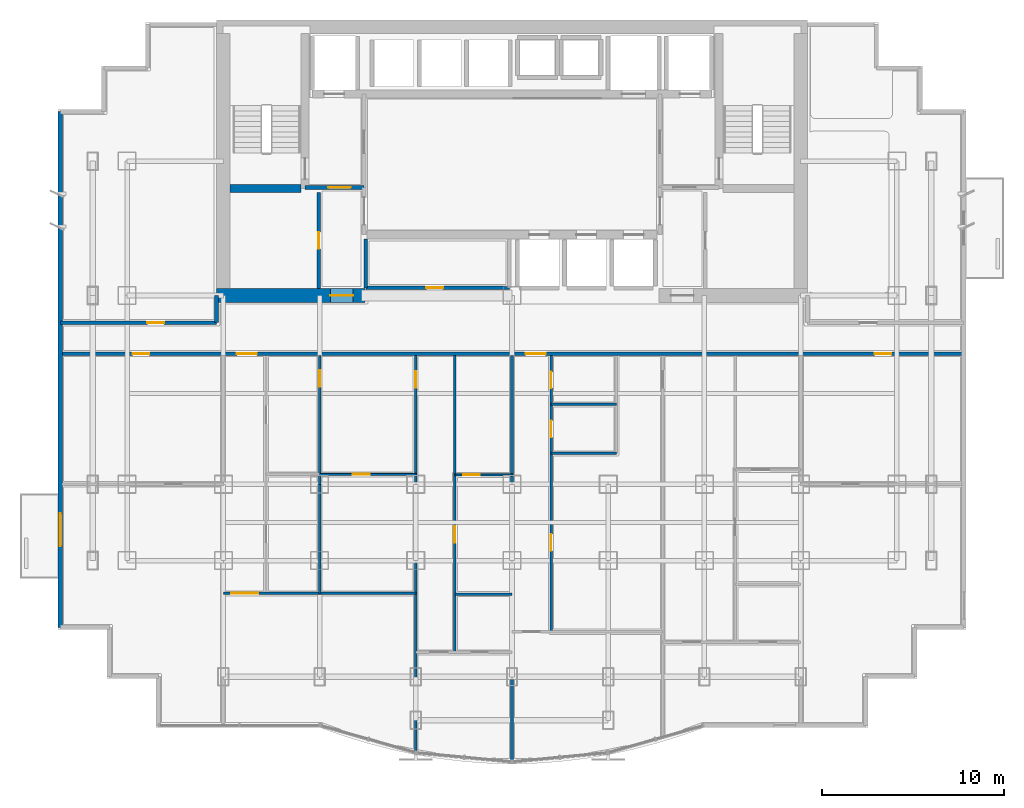
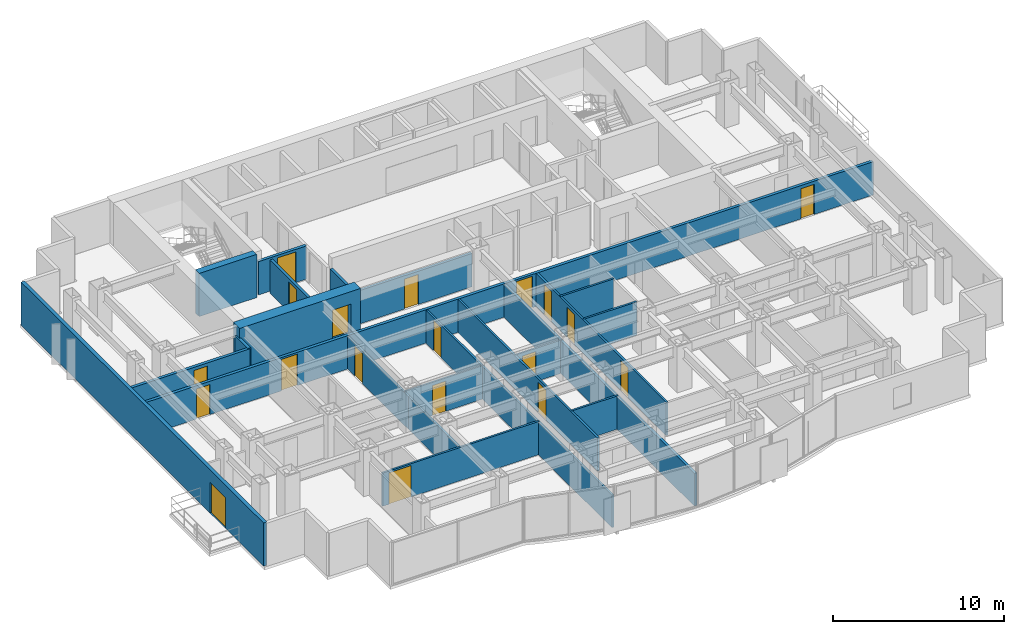
# One storey, part 5 of 10: 22 walls, 19 doors, 19 openings.
"""IFC4 building model written with IfcOpenShell, lengths in metres."""

from ifc_helpers import new_model, si_unit, direction, frame, frame_2d, origin, place, context, subcontext, project, spatial, rectangle, extrude, material, layer, layer_set, type_object, element, fill, save


model = new_model("IFC4")

# Units and contexts
model_context = context("Model", 3, precision=1e-05, world=origin(), true_north=direction((0.0, 1.0)))
body_context = subcontext(model_context, "Body", "Model", "MODEL_VIEW")
ifc_project = project(units=[si_unit("LENGTHUNIT", "METRE"), si_unit("AREAUNIT", "SQUARE_METRE"), si_unit("VOLUMEUNIT", "CUBIC_METRE"), si_unit("PLANEANGLEUNIT", "RADIAN"), si_unit("MASSUNIT", "GRAM", prefix="KILO")], contexts=[model_context])

# Site, building, storey
site_placement = place(None, origin())
site = spatial("IfcSite", under=ifc_project, at=site_placement, CompositionType="ELEMENT")
building_placement = place(site_placement, origin())
building = spatial("IfcBuilding", under=site, at=building_placement, Name="Qianlan Lanfeng Residences", CompositionType="ELEMENT")
storey_placement = place(building_placement, frame((0.0, 0.0, 94.89990234375)))
storey = spatial("IfcBuildingStorey", under=building, at=storey_placement, Name="L25", CompositionType="ELEMENT", Elevation=94.89990234375)

# Wall
ifc_material_1 = material(Name="Concrete C60", Category="concrete")
ifc_layer_1 = layer(ifc_material_1, 0.449951171875)
ifc_layer_set_1 = layer_set([ifc_layer_1], Name="Concrete C60")
wall_type_1 = type_object("IfcWallType", Name="CW-RC-450", PredefinedType="SHEAR", material=ifc_layer_set_1)
wall_1_placement = place(storey_placement, frame((10.97509765625, 31.10009765625, 0.0), z_axis=(0.0, 0.0, 1.0), x_axis=(1.0, 0.0, 0.0)))
element("IfcWall", 1, at=wall_1_placement, inside=storey, type_object=wall_type_1, Name="L25 Core Shear Wall ST1S", PredefinedType="SHEAR", context=body_context, shape_type="SweptSolid", body=[
    extrude(rectangle(XDim=3.89990234375, YDim=0.449951171875, at=frame_2d((1.949951171875, 0.0))), origin(), (0.0, 0.0, 1.0), 3.090087890625),
])

# Wall, opening, door
ifc_layer_2 = layer(ifc_material_1, 0.75)
ifc_layer_set_2 = layer_set([ifc_layer_2], Name="Concrete C60")
wall_type_2 = type_object("IfcWallType", Name="CW-RC-750", PredefinedType="SHEAR", material=ifc_layer_set_2)
wall_2_placement = place(storey_placement, frame((10.22509765625, 25.199951171875, 0.0), z_axis=(0.0, 0.0, 1.0), x_axis=(1.0, 0.0, 0.0)))
wall_2 = element("IfcWall", 2, at=wall_2_placement, inside=storey, type_object=wall_type_2, Name="L25 Core Shear Wall SW", PredefinedType="SHEAR", context=body_context, shape_type="SweptSolid", body=[
    extrude(rectangle(XDim=8.1748046875, YDim=0.75, at=frame_2d((4.08740234375, 0.0))), origin(), (0.0, 0.0, 1.0), 3.090087890625),
])
opening_1_placement = place(wall_2_placement, frame((6.27490234375, 0.0, 0.0)))
opening_1 = element("IfcOpeningElement", 3, at=opening_1_placement, cuts=wall_2, Name="Opening L25-D01", PredefinedType="OPENING", context=body_context, shape_type="SweptSolid", body=[
    extrude(rectangle(XDim=1.25, YDim=2.199951171875, at=frame_2d((0.625, 1.10009765625))), frame((0.0, 0.385009765625, 0.0), z_axis=(0.0, -1.0, 0.0), x_axis=(1.0, 0.0, 0.0)), (0.0, 0.0, 1.0), 0.77001953125),
])
ifc_material_2 = material(Name="Painted Galvanised Steel Fire Door", Category="steel")
door_type_1 = type_object("IfcDoorType", Name="DT-FFL", OperationType="NOTDEFINED", PredefinedType="DOOR", material=ifc_material_2)
door_1_placement = place(opening_1_placement, origin())
door_1 = element("IfcDoor", 4, at=door_1_placement, inside=storey, type_object=door_type_1, Name="L25 West Core Lobby Smoke Door L25-D01 (DT-FFL)", OperationType="SINGLE_SWING_RIGHT", OverallHeight=2.199951171875, OverallWidth=1.25, PredefinedType="DOOR", context=body_context, shape_type="SweptSolid", body=[
    extrude(rectangle(XDim=1.25, YDim=2.199951171875, at=frame_2d((0.625, 1.10009765625))), frame((0.0, 0.02490234375, 0.0), z_axis=(0.0, -1.0, 0.0), x_axis=(1.0, 0.0, 0.0)), (0.0, 0.0, 1.0), 0.050048828125),
])
fill(opening_1, door_1)

ifc_material_3 = material(Name="Concrete C42", Category="concrete")
ifc_layer_3 = layer(ifc_material_3, 0.239990234375)
ifc_layer_set_3 = layer_set([ifc_layer_3], Name="Concrete C42")
wall_type_3 = type_object("IfcWallType", Name="EW-240", PredefinedType="SOLIDWALL", material=ifc_layer_set_3)
wall_3_placement = place(storey_placement, frame((1.6201171875, 35.330078125, 0.0), z_axis=(0.0, 0.0, 1.0), x_axis=(0.0, -1.0, 0.0)))
wall_3 = element("IfcWall", 5, at=wall_3_placement, inside=storey, type_object=wall_type_3, Name="L25 Terrace/Balcony Access Exterior Wall 21", PredefinedType="SOLIDWALL", context=body_context, shape_type="SweptSolid", body=[
    extrude(rectangle(XDim=28.41015625, YDim=0.239990234375, at=frame_2d((14.205078125, 0.0))), origin(), (0.0, 0.0, 1.0), 3.090087890625),
])
opening_2_placement = place(wall_3_placement, frame((22.1298828125, 0.0, 0.0)))
opening_2 = element("IfcOpeningElement", 6, at=opening_2_placement, cuts=wall_3, Name="Opening L25-D-WB-S", PredefinedType="OPENING", context=body_context, shape_type="SweptSolid", body=[
    extrude(rectangle(XDim=1.800048828125, YDim=2.199951171875, at=frame_2d((0.89990234375, 1.10009765625))), frame((0.0, 0.1298828125, 0.0), z_axis=(0.0, -1.0, 0.0), x_axis=(1.0, 0.0, 0.0)), (0.0, 0.0, 1.0), 0.260009765625),
])
ifc_material_4 = material(Name="Anodised Bronze Aluminium Framed Glass", Category="aluminium")
door_type_2 = type_object("IfcDoorType", Name="DT-BAL1", OperationType="NOTDEFINED", PredefinedType="DOOR", material=ifc_material_4)
door_2_placement = place(opening_2_placement, frame((1.800048828125, 0.0, 0.0), z_axis=(0.0, 0.0, 1.0), x_axis=(-1.0, 0.0, 0.0)))
door_2 = element("IfcDoor", 7, at=door_2_placement, inside=storey, type_object=door_type_2, Name="L25 Exterior Access Door WB-S", OperationType="DOUBLE_DOOR_SLIDING", OverallHeight=2.199951171875, OverallWidth=1.800048828125, PredefinedType="DOOR", context=body_context, shape_type="SweptSolid", body=[
    extrude(rectangle(XDim=1.800048828125, YDim=2.199951171875, at=frame_2d((0.89990234375, 1.10009765625))), frame((0.0, 0.02490234375, 0.0), z_axis=(0.0, -1.0, 0.0), x_axis=(1.0, 0.0, 0.0)), (0.0, 0.0, 1.0), 0.050048828125),
])
fill(opening_2, door_2)

ifc_material_5 = material(Name="Demountable Acoustic Framing Partition 110 mm")
ifc_layer_4 = layer(ifc_material_5, 0.110107421875)
ifc_layer_set_4 = layer_set([ifc_layer_4], Name="Demountable Acoustic Framing Partition 110 mm")
wall_type_4 = type_object("IfcWallType", Name="PW-110", PredefinedType="MOVABLE", material=ifc_layer_set_4)
wall_4_placement = place(storey_placement, frame((15.89990234375, 15.344970703125, 0.0), z_axis=(0.0, 0.0, 1.0), x_axis=(1.0, 0.0, 0.0)))
wall_4 = element("IfcWall", 8, at=wall_4_placement, inside=storey, type_object=wall_type_4, Name="L25 U01 Study Split", PredefinedType="MOVABLE", context=body_context, shape_type="SweptSolid", body=[
    extrude(rectangle(XDim=5.300048828125, YDim=0.110107421875, at=frame_2d((2.64990234375, 0.0))), origin(), (0.0, 0.0, 1.0), 2.380126953125),
])
opening_3_placement = place(wall_4_placement, frame((1.840087890625, 0.0, 0.0)))
opening_3 = element("IfcOpeningElement", 9, at=opening_3_placement, cuts=wall_4, Name="Opening L25-D20", PredefinedType="OPENING", context=body_context, shape_type="SweptSolid", body=[
    extrude(rectangle(XDim=0.919921875, YDim=2.14990234375, at=frame_2d((0.4599609375, 1.074951171875))), frame((0.0, 0.06494140625, 0.0), z_axis=(0.0, -1.0, 0.0), x_axis=(1.0, 0.0, 0.0)), (0.0, 0.0, 1.0), 0.130126953125),
])
ifc_material_6 = material(Name="Glazed Timber Kitchen/Study Door", Category="wood")
door_type_3 = type_object("IfcDoorType", Name="DT-INT", OperationType="NOTDEFINED", PredefinedType="DOOR", material=ifc_material_6)
door_3_placement = place(opening_3_placement, origin())
door_3 = element("IfcDoor", 10, at=door_3_placement, inside=storey, type_object=door_type_3, Name="L25 U01 Study Inner Door L25-D20 (DT-INT)", OperationType="SINGLE_SWING_LEFT", OverallHeight=2.14990234375, OverallWidth=0.919921875, PredefinedType="DOOR", context=body_context, shape_type="SweptSolid", body=[
    extrude(rectangle(XDim=0.919921875, YDim=2.14990234375, at=frame_2d((0.4599609375, 1.074951171875))), frame((0.0, 0.02490234375, 0.0), z_axis=(0.0, -1.0, 0.0), x_axis=(1.0, 0.0, 0.0)), (0.0, 0.0, 1.0), 0.050048828125),
])
fill(opening_3, door_3)

wall_5_placement = place(storey_placement, frame((23.35009765625, 15.322998046875, 0.0), z_axis=(0.0, 0.0, 1.0), x_axis=(1.0, 0.0, 0.0)))
wall_5 = element("IfcWall", 11, at=wall_5_placement, inside=storey, type_object=wall_type_4, Name="L25 U01 Wardrobe Split", PredefinedType="MOVABLE", context=body_context, shape_type="SweptSolid", body=[
    extrude(rectangle(XDim=3.14990234375, YDim=0.110107421875, at=frame_2d((1.574951171875, 0.0))), origin(), (0.0, 0.0, 1.0), 2.380126953125),
])
opening_4_placement = place(wall_5_placement, frame((0.465087890625, 0.0, 0.0)))
opening_4 = element("IfcOpeningElement", 12, at=opening_4_placement, cuts=wall_5, Name="Opening L25-D24", PredefinedType="OPENING", context=body_context, shape_type="SweptSolid", body=[
    extrude(rectangle(XDim=0.919921875, YDim=2.14990234375, at=frame_2d((0.4599609375, 1.074951171875))), frame((0.0, 0.06494140625, 0.0), z_axis=(0.0, -1.0, 0.0), x_axis=(1.0, 0.0, 0.0)), (0.0, 0.0, 1.0), 0.130126953125),
])
door_4_placement = place(opening_4_placement, origin())
door_4 = element("IfcDoor", 13, at=door_4_placement, inside=storey, type_object=door_type_3, Name="L25 U01 Dressing Inner Door L25-D24 (DT-INT)", OperationType="SINGLE_SWING_RIGHT", OverallHeight=2.14990234375, OverallWidth=0.919921875, PredefinedType="DOOR", context=body_context, shape_type="SweptSolid", body=[
    extrude(rectangle(XDim=0.919921875, YDim=2.14990234375, at=frame_2d((0.4599609375, 1.074951171875))), frame((0.0, 0.02490234375, 0.0), z_axis=(0.0, -1.0, 0.0), x_axis=(1.0, 0.0, 0.0)), (0.0, 0.0, 1.0), 0.050048828125),
])
fill(opening_4, door_4)

ifc_material_7 = material(Name="Moisture-Resistant Gypsum Partition 135 mm")
ifc_layer_5 = layer(ifc_material_7, 0.135009765625)
ifc_layer_set_5 = layer_set([ifc_layer_5], Name="Moisture-Resistant Gypsum Partition 135 mm")
wall_type_5 = type_object("IfcWallType", Name="PW-135", PredefinedType="PARTITIONING", material=ifc_layer_set_5)
wall_6_placement = place(storey_placement, frame((15.89990234375, 14.800048828125, 0.0), z_axis=(0.0, 0.0, 1.0), x_axis=(0.0, 1.0, 0.0)))
wall_6 = element("IfcWall", 14, at=wall_6_placement, inside=storey, type_object=wall_type_5, Name="L25 U01 North Spine Wall", PredefinedType="PARTITIONING", context=body_context, shape_type="SweptSolid", body=[
    extrude(rectangle(XDim=7.099853515625, YDim=0.135009765625, at=frame_2d((3.5498046875, 0.0))), origin(), (0.0, 0.0, 1.0), 2.335205078125),
])
opening_5_placement = place(wall_6_placement, frame((5.364990234375, 0.0, 0.0)))
opening_5 = element("IfcOpeningElement", 15, at=opening_5_placement, cuts=wall_6, Name="Opening L25-D15", PredefinedType="OPENING", context=body_context, shape_type="SweptSolid", body=[
    extrude(rectangle(XDim=0.919921875, YDim=2.14990234375, at=frame_2d((0.4599609375, 1.074951171875))), frame((0.0, 0.07763671875, 0.0), z_axis=(0.0, -1.0, 0.0), x_axis=(1.0, 0.0, 0.0)), (0.0, 0.0, 1.0), 0.155029296875),
])
door_5_placement = place(opening_5_placement, origin())
door_5 = element("IfcDoor", 16, at=door_5_placement, inside=storey, type_object=door_type_3, Name="L25 U01 North Suite Door L25-D15 (DT-INT)", OperationType="SINGLE_SWING_RIGHT", OverallHeight=2.14990234375, OverallWidth=0.919921875, PredefinedType="DOOR", context=body_context, shape_type="SweptSolid", body=[
    extrude(rectangle(XDim=0.919921875, YDim=2.14990234375, at=frame_2d((0.4599609375, 1.074951171875))), frame((0.0, 0.02490234375, 0.0), z_axis=(0.0, -1.0, 0.0), x_axis=(1.0, 0.0, 0.0)), (0.0, 0.0, 1.0), 0.050048828125),
])
fill(opening_5, door_5)

wall_7_placement = place(storey_placement, frame((21.199951171875, 0.126953125, 0.0), z_axis=(0.0, 0.0, 1.0), x_axis=(0.0, 1.0, 0.0)))
wall_7 = element("IfcWall", 17, at=wall_7_placement, inside=storey, type_object=wall_type_5, Name="L25 U01 Bay Spine Wall 2", PredefinedType="PARTITIONING", context=body_context, shape_type="SweptSolid", body=[
    extrude(rectangle(XDim=21.77294921875, YDim=0.135009765625, at=frame_2d((10.886474609375, 0.0))), origin(), (0.0, 0.0, 1.0), 2.335205078125),
])
opening_6_placement = place(wall_7_placement, frame((19.988037109375, 0.0, 0.0)))
opening_6 = element("IfcOpeningElement", 18, at=opening_6_placement, cuts=wall_7, Name="Opening L25-D16", PredefinedType="OPENING", context=body_context, shape_type="SweptSolid", body=[
    extrude(rectangle(XDim=0.919921875, YDim=2.14990234375, at=frame_2d((0.4599609375, 1.074951171875))), frame((0.0, 0.07763671875, 0.0), z_axis=(0.0, -1.0, 0.0), x_axis=(1.0, 0.0, 0.0)), (0.0, 0.0, 1.0), 0.155029296875),
])
door_6_placement = place(opening_6_placement, origin())
door_6 = element("IfcDoor", 19, at=door_6_placement, inside=storey, type_object=door_type_3, Name="L25 U01 Internal Hall Door L25-D16 (DT-INT)", OperationType="SINGLE_SWING_LEFT", OverallHeight=2.14990234375, OverallWidth=0.919921875, PredefinedType="DOOR", context=body_context, shape_type="SweptSolid", body=[
    extrude(rectangle(XDim=0.919921875, YDim=2.14990234375, at=frame_2d((0.4599609375, 1.074951171875))), frame((0.0, 0.02490234375, 0.0), z_axis=(0.0, -1.0, 0.0), x_axis=(1.0, 0.0, 0.0)), (0.0, 0.0, 1.0), 0.050048828125),
])
fill(opening_6, door_6)

# Wall
wall_8_placement = place(storey_placement, frame((15.89990234375, 8.7900390625, 0.0), z_axis=(0.0, 0.0, 1.0), x_axis=(0.0, 1.0, 0.0)))
element("IfcWall", 20, at=wall_8_placement, inside=storey, type_object=wall_type_5, Name="L25 U01 Mid Column Wall", PredefinedType="PARTITIONING", context=body_context, shape_type="SweptSolid", body=[
    extrude(rectangle(XDim=6.010009765625, YDim=0.135009765625, at=frame_2d((3.0048828125, 0.0))), origin(), (0.0, 0.0, 1.0), 2.335205078125),
])

# Wall, opening, door
wall_9_placement = place(storey_placement, frame((10.60009765625, 8.7900390625, 0.0), z_axis=(0.0, 0.0, 1.0), x_axis=(1.0, 0.0, 0.0)))
wall_9 = element("IfcWall", 21, at=wall_9_placement, inside=storey, type_object=wall_type_5, Name="L25 U01 Grand Living North Wall", PredefinedType="PARTITIONING", context=body_context, shape_type="SweptSolid", body=[
    extrude(rectangle(XDim=10.599853515625, YDim=0.135009765625, at=frame_2d((5.2998046875, 0.0))), origin(), (0.0, 0.0, 1.0), 2.380126953125),
])
opening_7_placement = place(wall_9_placement, frame((0.425048828125, 0.0, 0.0)))
opening_7 = element("IfcOpeningElement", 22, at=opening_7_placement, cuts=wall_9, Name="Opening L25-D17", PredefinedType="OPENING", context=body_context, shape_type="SweptSolid", body=[
    extrude(rectangle(XDim=1.5, YDim=2.25, at=frame_2d((0.75, 1.125))), frame((0.0, 0.07763671875, 0.0), z_axis=(0.0, -1.0, 0.0), x_axis=(1.0, 0.0, 0.0)), (0.0, 0.0, 1.0), 0.155029296875),
])
ifc_material_8 = material(Name="Timber Veneer Acoustic Fire Door", Category="wood")
door_type_4 = type_object("IfcDoorType", Name="DT-COR1", OperationType="NOTDEFINED", PredefinedType="DOOR", material=ifc_material_8)
door_7_placement = place(opening_7_placement, origin())
door_7 = element("IfcDoor", 23, at=door_7_placement, inside=storey, type_object=door_type_4, Name="L25 U01 Grand Living Door L25-D17 (DT-COR1)", OperationType="DOUBLE_DOOR_SINGLE_SWING", OverallHeight=2.25, OverallWidth=1.5, PredefinedType="DOOR", context=body_context, shape_type="SweptSolid", body=[
    extrude(rectangle(XDim=1.5, YDim=2.25, at=frame_2d((0.75, 1.125))), frame((0.0, 0.02490234375, 0.0), z_axis=(0.0, -1.0, 0.0), x_axis=(1.0, 0.0, 0.0)), (0.0, 0.0, 1.0), 0.050048828125),
])
fill(opening_7, door_7)

wall_10_placement = place(storey_placement, frame((23.35009765625, 5.547119140625, 0.0), z_axis=(0.0, 0.0, 1.0), x_axis=(0.0, 1.0, 0.0)))
wall_10 = element("IfcWall", 24, at=wall_10_placement, inside=storey, type_object=wall_type_5, Name="L25 U01 Master Passage Wall", PredefinedType="PARTITIONING", context=body_context, shape_type="SweptSolid", body=[
    extrude(rectangle(XDim=16.352783203125, YDim=0.135009765625, at=frame_2d((8.17626953125, 0.0))), origin(), (0.0, 0.0, 1.0), 2.380126953125),
])
opening_8_placement = place(wall_10_placement, frame((6.028076171875, 0.0, 0.0)))
opening_8 = element("IfcOpeningElement", 25, at=opening_8_placement, cuts=wall_10, Name="Opening L25-D23", PredefinedType="OPENING", context=body_context, shape_type="SweptSolid", body=[
    extrude(rectangle(XDim=0.919921875, YDim=2.14990234375, at=frame_2d((0.4599609375, 1.074951171875))), frame((0.0, 0.07763671875, 0.0), z_axis=(0.0, -1.0, 0.0), x_axis=(1.0, 0.0, 0.0)), (0.0, 0.0, 1.0), 0.155029296875),
])
door_8_placement = place(opening_8_placement, origin())
door_8 = element("IfcDoor", 26, at=door_8_placement, inside=storey, type_object=door_type_3, Name="L25 U01 Wardrobe Door L25-D23 (DT-INT)", OperationType="SINGLE_SWING_RIGHT", OverallHeight=2.14990234375, OverallWidth=0.919921875, PredefinedType="DOOR", context=body_context, shape_type="SweptSolid", body=[
    extrude(rectangle(XDim=0.919921875, YDim=2.14990234375, at=frame_2d((0.4599609375, 1.074951171875))), frame((0.0, 0.02490234375, 0.0), z_axis=(0.0, -1.0, 0.0), x_axis=(1.0, 0.0, 0.0)), (0.0, 0.0, 1.0), 0.050048828125),
])
fill(opening_8, door_8)

# Wall
wall_11_placement = place(storey_placement, frame((23.35009765625, 8.7470703125, 0.0), z_axis=(0.0, 0.0, 1.0), x_axis=(1.0, 0.0, 0.0)))
element("IfcWall", 27, at=wall_11_placement, inside=storey, type_object=wall_type_5, Name="L25 U01 En-Suite North Wall", PredefinedType="PARTITIONING", context=body_context, shape_type="SweptSolid", body=[
    extrude(rectangle(XDim=3.14990234375, YDim=0.135009765625, at=frame_2d((1.574951171875, 0.0))), origin(), (0.0, 0.0, 1.0), 2.380126953125),
])

# Wall, openings, doors
wall_12_placement = place(storey_placement, frame((28.64990234375, 6.680908203125, 0.0), z_axis=(0.0, 0.0, 1.0), x_axis=(0.0, 1.0, 0.0)))
wall_12 = element("IfcWall", 28, at=wall_12_placement, inside=storey, type_object=wall_type_5, Name="L25 U02 Entry Hall Spine", PredefinedType="PARTITIONING", context=body_context, shape_type="SweptSolid", body=[
    extrude(rectangle(XDim=15.218994140625, YDim=0.135009765625, at=frame_2d((7.609375, 0.0))), origin(), (0.0, 0.0, 1.0), 2.380126953125),
])
opening_9_placement = place(wall_12_placement, frame((4.449951171875, 0.0, 0.0)))
opening_9 = element("IfcOpeningElement", 29, at=opening_9_placement, cuts=wall_12, Name="Opening L25-D28", PredefinedType="OPENING", context=body_context, shape_type="SweptSolid", body=[
    extrude(rectangle(XDim=0.919921875, YDim=2.14990234375, at=frame_2d((0.4599609375, 1.074951171875))), frame((0.0, 0.07763671875, 0.0), z_axis=(0.0, -1.0, 0.0), x_axis=(1.0, 0.0, 0.0)), (0.0, 0.0, 1.0), 0.155029296875),
])
opening_10_placement = place(wall_12_placement, frame((10.708984375, 0.0, 0.0)))
opening_10 = element("IfcOpeningElement", 30, at=opening_10_placement, cuts=wall_12, Name="Opening L25-D29", PredefinedType="OPENING", context=body_context, shape_type="SweptSolid", body=[
    extrude(rectangle(XDim=0.919921875, YDim=2.14990234375, at=frame_2d((0.4599609375, 1.074951171875))), frame((0.0, 0.07763671875, 0.0), z_axis=(0.0, -1.0, 0.0), x_axis=(1.0, 0.0, 0.0)), (0.0, 0.0, 1.0), 0.155029296875),
])
opening_11_placement = place(wall_12_placement, frame((13.4189453125, 0.0, 0.0)))
opening_11 = element("IfcOpeningElement", 31, at=opening_11_placement, cuts=wall_12, Name="Opening L25-D30", PredefinedType="OPENING", context=body_context, shape_type="SweptSolid", body=[
    extrude(rectangle(XDim=0.89990234375, YDim=2.14990234375, at=frame_2d((0.449951171875, 1.074951171875))), frame((0.0, 0.07763671875, 0.0), z_axis=(0.0, -1.0, 0.0), x_axis=(1.0, 0.0, 0.0)), (0.0, 0.0, 1.0), 0.155029296875),
])
door_9_placement = place(opening_9_placement, origin())
door_9 = element("IfcDoor", 32, at=door_9_placement, inside=storey, type_object=door_type_3, Name="L25 U02 Study Door L25-D28 (DT-INT)", OperationType="SINGLE_SWING_LEFT", OverallHeight=2.14990234375, OverallWidth=0.919921875, PredefinedType="DOOR", context=body_context, shape_type="SweptSolid", body=[
    extrude(rectangle(XDim=0.919921875, YDim=2.14990234375, at=frame_2d((0.4599609375, 1.074951171875))), frame((0.0, 0.02490234375, 0.0), z_axis=(0.0, -1.0, 0.0), x_axis=(1.0, 0.0, 0.0)), (0.0, 0.0, 1.0), 0.050048828125),
])
fill(opening_9, door_9)
door_10_placement = place(opening_10_placement, origin())
door_10 = element("IfcDoor", 33, at=door_10_placement, inside=storey, type_object=door_type_3, Name="L25 U02 Kitchen Door L25-D29 (DT-INT)", OperationType="SINGLE_SWING_RIGHT", OverallHeight=2.14990234375, OverallWidth=0.919921875, PredefinedType="DOOR", context=body_context, shape_type="SweptSolid", body=[
    extrude(rectangle(XDim=0.919921875, YDim=2.14990234375, at=frame_2d((0.4599609375, 1.074951171875))), frame((0.0, 0.02490234375, 0.0), z_axis=(0.0, -1.0, 0.0), x_axis=(1.0, 0.0, 0.0)), (0.0, 0.0, 1.0), 0.050048828125),
])
fill(opening_10, door_10)
ifc_material_9 = material(Name="Moisture-Resistant Timber Leaf", Category="wood")
door_type_5 = type_object("IfcDoorType", Name="DT-WC", OperationType="NOTDEFINED", PredefinedType="DOOR", material=ifc_material_9)
door_11_placement = place(opening_11_placement, origin())
door_11 = element("IfcDoor", 34, at=door_11_placement, inside=storey, type_object=door_type_5, Name="L25 U02 Bathroom Door L25-D30 (DT-WC)", OperationType="SINGLE_SWING_LEFT", OverallHeight=2.14990234375, OverallWidth=0.89990234375, PredefinedType="DOOR", context=body_context, shape_type="SweptSolid", body=[
    extrude(rectangle(XDim=0.89990234375, YDim=2.14990234375, at=frame_2d((0.449951171875, 1.074951171875))), frame((0.0, 0.02490234375, 0.0), z_axis=(0.0, -1.0, 0.0), x_axis=(1.0, 0.0, 0.0)), (0.0, 0.0, 1.0), 0.050048828125),
])
fill(opening_11, door_11)

# Walls
for number, where, z_axis, x_axis, name in (
    (35, (28.64990234375, 16.5, 0.0), (0.0, 0.0, 1.0), (1.0, 0.0, 0.0), "L25 U02 Kitchen South Wall"),
    (36, (28.64990234375, 19.199951171875, 0.0), (0.0, 0.0, 1.0), (1.0, 0.0, 0.0), "L25 U02 Bathroom South Wall"),
):
    element("IfcWall", number, at=place(storey_placement, frame(where, z_axis=z_axis, x_axis=x_axis)), inside=storey, type_object=wall_type_5, Name=name, PredefinedType="PARTITIONING", context=body_context, shape_type="SweptSolid", body=[
        extrude(rectangle(XDim=3.60009765625, YDim=0.135009765625, at=frame_2d((1.800048828125, 0.0))), origin(), (0.0, 0.0, 1.0), 2.380126953125),
    ])

# Wall, opening, door
ifc_material_10 = material(Name="Double-Layer Acoustic Gypsum Stud Wall 180 mm")
ifc_layer_6 = layer(ifc_material_10, 0.179931640625)
ifc_layer_set_6 = layer_set([ifc_layer_6], Name="Double-Layer Acoustic Gypsum Stud Wall 180 mm")
wall_type_6 = type_object("IfcWallType", Name="PW-180", PredefinedType="PARTITIONING", material=ifc_layer_set_6)
wall_13_placement = place(storey_placement, frame((15.85009765625, 25.574951171875, 0.0), z_axis=(0.0, 0.0, 1.0), x_axis=(0.0, 1.0, 0.0)))
wall_13 = element("IfcWall", 37, at=wall_13_placement, inside=storey, type_object=wall_type_6, Name="L25 Core West Service Room Wall", PredefinedType="PARTITIONING", context=body_context, shape_type="SweptSolid", body=[
    extrude(rectangle(XDim=5.300048828125, YDim=0.179931640625, at=frame_2d((2.64990234375, 0.0))), origin(), (0.0, 0.0, 1.0), 2.380126953125),
])
opening_12_placement = place(wall_13_placement, frame((2.18994140625, 0.0, 0.0)))
opening_12 = element("IfcOpeningElement", 38, at=opening_12_placement, cuts=wall_13, Name="Opening L25-D09", PredefinedType="OPENING", context=body_context, shape_type="SweptSolid", body=[
    extrude(rectangle(XDim=0.919921875, YDim=2.14990234375, at=frame_2d((0.4599609375, 1.074951171875))), frame((0.0, 0.10009765625, 0.0), z_axis=(0.0, -1.0, 0.0), x_axis=(1.0, 0.0, 0.0)), (0.0, 0.0, 1.0), 0.199951171875),
])
door_12_placement = place(opening_12_placement, origin())
door_12 = element("IfcDoor", 39, at=door_12_placement, inside=storey, type_object=door_type_3, Name="L25 Core Storage Door L25-D09 (DT-INT)", OperationType="SINGLE_SWING_RIGHT", OverallHeight=2.14990234375, OverallWidth=0.919921875, PredefinedType="DOOR", context=body_context, shape_type="SweptSolid", body=[
    extrude(rectangle(XDim=0.919921875, YDim=2.14990234375, at=frame_2d((0.4599609375, 1.074951171875))), frame((0.0, 0.02490234375, 0.0), z_axis=(0.0, -1.0, 0.0), x_axis=(1.0, 0.0, 0.0)), (0.0, 0.0, 1.0), 0.050048828125),
])
fill(opening_12, door_12)

# Wall
wall_14_placement = place(storey_placement, frame((18.449951171875, 25.6201171875, 0.0), z_axis=(0.0, 0.0, 1.0), x_axis=(0.0, 1.0, 0.0)))
element("IfcWall", 40, at=wall_14_placement, inside=storey, type_object=wall_type_6, Name="L25 Reclaimed Low-Bank Room West Wall", PredefinedType="PARTITIONING", context=body_context, shape_type="SweptSolid", body=[
    extrude(rectangle(XDim=2.704833984375, YDim=0.179931640625, at=frame_2d((1.3525390625, 0.0))), origin(), (0.0, 0.0, 1.0), 2.380126953125),
])

# Wall, opening, door
wall_15_placement = place(storey_placement, frame((18.449951171875, 25.6201171875, 0.0), z_axis=(0.0, 0.0, 1.0), x_axis=(1.0, 0.0, 0.0)))
wall_15 = element("IfcWall", 41, at=wall_15_placement, inside=storey, type_object=wall_type_6, Name="L25 Reclaimed Low-Bank Room South Wall", PredefinedType="PARTITIONING", context=body_context, shape_type="SweptSolid", body=[
    extrude(rectangle(XDim=7.900146484375, YDim=0.179931640625, at=frame_2d((3.9501953125, 0.0))), origin(), (0.0, 0.0, 1.0), 2.380126953125),
])
opening_13_placement = place(wall_15_placement, frame((3.340087890625, 0.0, 0.0)))
opening_13 = element("IfcOpeningElement", 42, at=opening_13_placement, cuts=wall_15, Name="Opening L25-D13", PredefinedType="OPENING", context=body_context, shape_type="SweptSolid", body=[
    extrude(rectangle(XDim=0.919921875, YDim=2.14990234375, at=frame_2d((0.4599609375, 1.074951171875))), frame((0.0, 0.10009765625, 0.0), z_axis=(0.0, -1.0, 0.0), x_axis=(1.0, 0.0, 0.0)), (0.0, 0.0, 1.0), 0.199951171875),
])
door_13_placement = place(opening_13_placement, origin())
door_13 = element("IfcDoor", 43, at=door_13_placement, inside=storey, type_object=door_type_3, Name="L25 Reclaimed Core Salon Door L25-D13 (DT-INT)", OperationType="SINGLE_SWING_RIGHT", OverallHeight=2.14990234375, OverallWidth=0.919921875, PredefinedType="DOOR", context=body_context, shape_type="SweptSolid", body=[
    extrude(rectangle(XDim=0.919921875, YDim=2.14990234375, at=frame_2d((0.4599609375, 1.074951171875))), frame((0.0, 0.02490234375, 0.0), z_axis=(0.0, -1.0, 0.0), x_axis=(1.0, 0.0, 0.0)), (0.0, 0.0, 1.0), 0.050048828125),
])
fill(opening_13, door_13)

# Wall
wall_16_placement = place(storey_placement, frame((26.5, -0.3798828125, 0.0), z_axis=(0.0, 0.0, 1.0), x_axis=(0.0, 1.0, 0.0)))
element("IfcWall", 44, at=wall_16_placement, inside=storey, type_object=wall_type_6, Name="L25 Inter-Tenancy Party Wall 2", PredefinedType="PARTITIONING", context=body_context, shape_type="SweptSolid", body=[
    extrude(rectangle(XDim=22.27978515625, YDim=0.179931640625, at=frame_2d((11.139892578125, 0.0))), origin(), (0.0, 0.0, 1.0), 2.335205078125),
])

# Wall, opening, door
ifc_material_11 = material(Name="Autoclaved Aerated Concrete Blockwork 200 mm", Category="masonry")
ifc_layer_7 = layer(ifc_material_11, 0.199951171875)
ifc_layer_set_7 = layer_set([ifc_layer_7], Name="Autoclaved Aerated Concrete Blockwork 200 mm")
wall_type_7 = type_object("IfcWallType", Name="PW-200", PredefinedType="PARTITIONING", material=ifc_layer_set_7)
wall_17_placement = place(storey_placement, frame((15.10009765625, 31.14990234375, 0.0), z_axis=(0.0, 0.0, 1.0), x_axis=(1.0, 0.0, 0.0)))
wall_17 = element("IfcWall", 45, at=wall_17_placement, inside=storey, type_object=wall_type_7, Name="L25 Firefighting Lobby 1 South Wall", PredefinedType="PARTITIONING", context=body_context, shape_type="SweptSolid", body=[
    extrude(rectangle(XDim=3.25, YDim=0.199951171875, at=frame_2d((1.625, 0.0))), origin(), (0.0, 0.0, 1.0), 2.380126953125),
])
opening_14_placement = place(wall_17_placement, frame((1.27490234375, 0.0, 0.0)))
opening_14 = element("IfcOpeningElement", 46, at=opening_14_placement, cuts=wall_17, Name="Opening L25-D03", PredefinedType="OPENING", context=body_context, shape_type="SweptSolid", body=[
    extrude(rectangle(XDim=1.25, YDim=2.199951171875, at=frame_2d((0.625, 1.10009765625))), frame((0.0, 0.10986328125, 0.0), z_axis=(0.0, -1.0, 0.0), x_axis=(1.0, 0.0, 0.0)), (0.0, 0.0, 1.0), 0.219970703125),
])
door_14_placement = place(opening_14_placement, origin())
door_14 = element("IfcDoor", 47, at=door_14_placement, inside=storey, type_object=door_type_1, Name="L25 Firefighting Lobby 1 Entry Door L25-D03 (DT-FFL)", OperationType="SINGLE_SWING_LEFT", OverallHeight=2.199951171875, OverallWidth=1.25, PredefinedType="DOOR", context=body_context, shape_type="SweptSolid", body=[
    extrude(rectangle(XDim=1.25, YDim=2.199951171875, at=frame_2d((0.625, 1.10009765625))), frame((0.0, 0.02490234375, 0.0), z_axis=(0.0, -1.0, 0.0), x_axis=(1.0, 0.0, 0.0)), (0.0, 0.0, 1.0), 0.050048828125),
])
fill(opening_14, door_14)

# Wall, openings, doors
wall_18_placement = place(storey_placement, frame((1.6201171875, 22.0, 0.0), z_axis=(0.0, 0.0, 1.0), x_axis=(1.0, 0.0, 0.0)))
wall_18 = element("IfcWall", 48, at=wall_18_placement, inside=storey, type_object=wall_type_7, Name="L25 Residential Corridor South Fire Wall", PredefinedType="PARTITIONING", context=body_context, shape_type="SweptSolid", body=[
    extrude(rectangle(XDim=49.759765625, YDim=0.199951171875, at=frame_2d((24.8798828125, 0.0))), origin(), (0.0, 0.0, 1.0), 2.380126953125),
])
opening_15_placement = place(wall_18_placement, frame((9.72998046875, 0.0, 0.0)))
opening_15 = element("IfcOpeningElement", 49, at=opening_15_placement, cuts=wall_18, Name="Opening L25-D14", PredefinedType="OPENING", context=body_context, shape_type="SweptSolid", body=[
    extrude(rectangle(XDim=1.10009765625, YDim=2.25, at=frame_2d((0.550048828125, 1.125))), frame((0.0, 0.10986328125, 0.0), z_axis=(0.0, -1.0, 0.0), x_axis=(1.0, 0.0, 0.0)), (0.0, 0.0, 1.0), 0.219970703125),
])
opening_16_placement = place(wall_18_placement, frame((25.6298828125, 0.0, 0.0)))
opening_16 = element("IfcOpeningElement", 50, at=opening_16_placement, cuts=wall_18, Name="Opening L25-D25", PredefinedType="OPENING", context=body_context, shape_type="SweptSolid", body=[
    extrude(rectangle(XDim=1.10009765625, YDim=2.25, at=frame_2d((0.550048828125, 1.125))), frame((0.0, 0.10986328125, 0.0), z_axis=(0.0, -1.0, 0.0), x_axis=(1.0, 0.0, 0.0)), (0.0, 0.0, 1.0), 0.219970703125),
])
opening_17_placement = place(wall_18_placement, frame((3.985107421875, 0.0, 0.0)))
opening_17 = element("IfcOpeningElement", 51, at=opening_17_placement, cuts=wall_18, Name="Opening L25-D36", PredefinedType="OPENING", context=body_context, shape_type="SweptSolid", body=[
    extrude(rectangle(XDim=0.919921875, YDim=2.14990234375, at=frame_2d((0.4599609375, 1.074951171875))), frame((0.0, 0.10986328125, 0.0), z_axis=(0.0, -1.0, 0.0), x_axis=(1.0, 0.0, 0.0)), (0.0, 0.0, 1.0), 0.219970703125),
])
opening_18_placement = place(wall_18_placement, frame((44.85498046875, 0.0, 0.0)))
opening_18 = element("IfcOpeningElement", 52, at=opening_18_placement, cuts=wall_18, Name="Opening L25-D38", PredefinedType="OPENING", context=body_context, shape_type="SweptSolid", body=[
    extrude(rectangle(XDim=0.919921875, YDim=2.14990234375, at=frame_2d((0.4599609375, 1.074951171875))), frame((0.0, 0.10986328125, 0.0), z_axis=(0.0, -1.0, 0.0), x_axis=(1.0, 0.0, 0.0)), (0.0, 0.0, 1.0), 0.219970703125),
])
door_15_placement = place(opening_17_placement, origin())
door_15 = element("IfcDoor", 53, at=door_15_placement, inside=storey, type_object=door_type_3, Name="L25 SWP Corridor Door L25-D36 (DT-INT)", OperationType="SINGLE_SWING_LEFT", OverallHeight=2.14990234375, OverallWidth=0.919921875, PredefinedType="DOOR", context=body_context, shape_type="SweptSolid", body=[
    extrude(rectangle(XDim=0.919921875, YDim=2.14990234375, at=frame_2d((0.4599609375, 1.074951171875))), frame((0.0, 0.02490234375, 0.0), z_axis=(0.0, -1.0, 0.0), x_axis=(1.0, 0.0, 0.0)), (0.0, 0.0, 1.0), 0.050048828125),
])
fill(opening_17, door_15)
door_16_placement = place(opening_18_placement, origin())
door_16 = element("IfcDoor", 54, at=door_16_placement, inside=storey, type_object=door_type_3, Name="L25 SEP Corridor Door L25-D38 (DT-INT)", OperationType="SINGLE_SWING_LEFT", OverallHeight=2.14990234375, OverallWidth=0.919921875, PredefinedType="DOOR", context=body_context, shape_type="SweptSolid", body=[
    extrude(rectangle(XDim=0.919921875, YDim=2.14990234375, at=frame_2d((0.4599609375, 1.074951171875))), frame((0.0, 0.02490234375, 0.0), z_axis=(0.0, -1.0, 0.0), x_axis=(1.0, 0.0, 0.0)), (0.0, 0.0, 1.0), 0.050048828125),
])
fill(opening_18, door_16)
ifc_material_12 = material(Name="Solid-Core Oak Veneer Fire Door")
door_type_6 = type_object("IfcDoorType", Name="DT-UNIT", OperationType="NOTDEFINED", PredefinedType="DOOR", material=ifc_material_12)
door_17_placement = place(opening_15_placement, origin())
door_17 = element("IfcDoor", 55, at=door_17_placement, inside=storey, type_object=door_type_6, Name="L25 Apartment U01 Entrance Door L25-D14 (DT-UNIT)", OperationType="SINGLE_SWING_RIGHT", OverallHeight=2.25, OverallWidth=1.10009765625, PredefinedType="DOOR", context=body_context, shape_type="SweptSolid", body=[
    extrude(rectangle(XDim=1.10009765625, YDim=2.25, at=frame_2d((0.550048828125, 1.125))), frame((0.0, 0.02490234375, 0.0), z_axis=(0.0, -1.0, 0.0), x_axis=(1.0, 0.0, 0.0)), (0.0, 0.0, 1.0), 0.050048828125),
])
fill(opening_15, door_17)
door_18_placement = place(opening_16_placement, origin())
door_18 = element("IfcDoor", 56, at=door_18_placement, inside=storey, type_object=door_type_6, Name="L25 Apartment U02 Entrance Door L25-D25 (DT-UNIT)", OperationType="SINGLE_SWING_RIGHT", OverallHeight=2.25, OverallWidth=1.10009765625, PredefinedType="DOOR", context=body_context, shape_type="SweptSolid", body=[
    extrude(rectangle(XDim=1.10009765625, YDim=2.25, at=frame_2d((0.550048828125, 1.125))), frame((0.0, 0.02490234375, 0.0), z_axis=(0.0, -1.0, 0.0), x_axis=(1.0, 0.0, 0.0)), (0.0, 0.0, 1.0), 0.050048828125),
])
fill(opening_16, door_18)

# Wall, opening, door
wall_19_placement = place(storey_placement, frame((1.6201171875, 23.699951171875, 0.0), z_axis=(0.0, 0.0, 1.0), x_axis=(1.0, 0.0, 0.0)))
wall_19 = element("IfcWall", 57, at=wall_19_placement, inside=storey, type_object=wall_type_7, Name="L25 Corridor NW Wall", PredefinedType="PARTITIONING", context=body_context, shape_type="SweptSolid", body=[
    extrude(rectangle(XDim=8.60498046875, YDim=0.199951171875, at=frame_2d((4.302490234375, 0.0))), origin(), (0.0, 0.0, 1.0), 2.380126953125),
])
opening_19_placement = place(wall_19_placement, frame((4.7919921875, 0.0, 0.0)))
opening_19 = element("IfcOpeningElement", 58, at=opening_19_placement, cuts=wall_19, Name="Opening L25-D39", PredefinedType="OPENING", context=body_context, shape_type="SweptSolid", body=[
    extrude(rectangle(XDim=0.919921875, YDim=2.14990234375, at=frame_2d((0.4599609375, 1.074951171875))), frame((0.0, 0.10986328125, 0.0), z_axis=(0.0, -1.0, 0.0), x_axis=(1.0, 0.0, 0.0)), (0.0, 0.0, 1.0), 0.219970703125),
])
door_19_placement = place(opening_19_placement, origin())
door_19 = element("IfcDoor", 59, at=door_19_placement, inside=storey, type_object=door_type_3, Name="L25 WW Amenity Salon Door L25-D39 (DT-INT)", OperationType="SINGLE_SWING_RIGHT", OverallHeight=2.14990234375, OverallWidth=0.919921875, PredefinedType="DOOR", context=body_context, shape_type="SweptSolid", body=[
    extrude(rectangle(XDim=0.919921875, YDim=2.14990234375, at=frame_2d((0.4599609375, 1.074951171875))), frame((0.0, 0.02490234375, 0.0), z_axis=(0.0, -1.0, 0.0), x_axis=(1.0, 0.0, 0.0)), (0.0, 0.0, 1.0), 0.050048828125),
])
fill(opening_19, door_19)

# Wall
wall_20_placement = place(storey_placement, frame((10.22509765625, 23.699951171875, 0.0), z_axis=(0.0, 0.0, 1.0), x_axis=(0.0, 1.0, 0.0)))
element("IfcWall", 60, at=wall_20_placement, inside=storey, type_object=wall_type_7, Name="L25 NW Wing Core Return Wall", PredefinedType="PARTITIONING", context=body_context, shape_type="SweptSolid", body=[
    extrude(rectangle(XDim=1.5, YDim=0.199951171875, at=frame_2d((0.75, 0.0))), origin(), (0.0, 0.0, 1.0), 2.380126953125),
])

save(model, "model.ifc")
